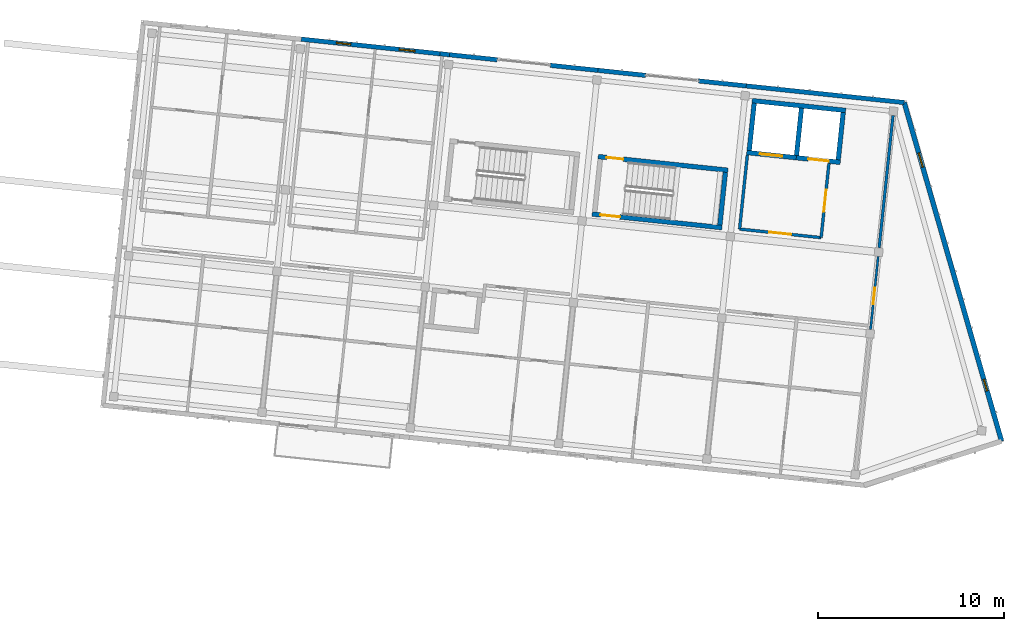
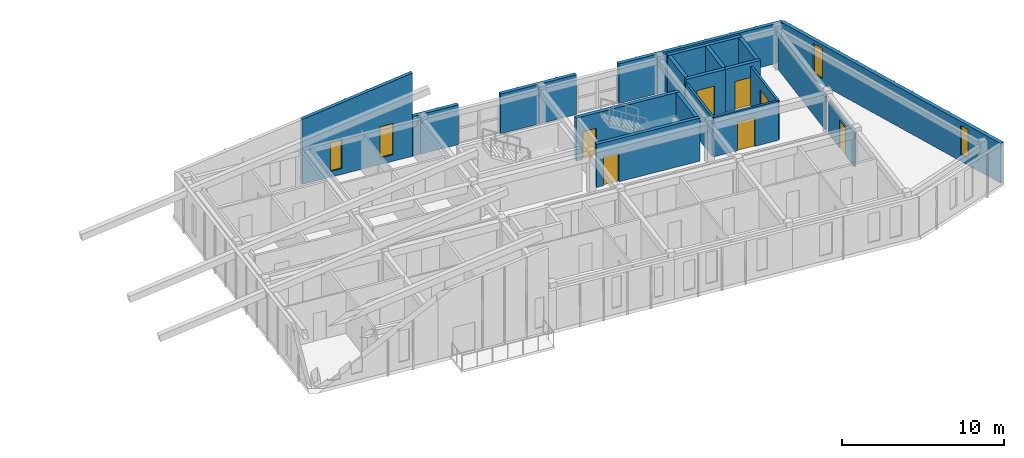
# One storey, part 19 of 34: 22 walls, 7 doors, 4 windows, 11 openings.
"""IFC4 building model written with IfcOpenShell, lengths in metres."""

from ifc_helpers import new_model, si_unit, direction, frame, frame_2d, origin, place, context, subcontext, project, spatial, polyline, rectangle, outline, extrude, material, layer, layer_set, type_object, element, fill, save


model = new_model("IFC4")

# Units and contexts
model_context = context("Model", 3, precision=1e-05, world=origin(), true_north=direction((0.0, 1.0)))
body_context = subcontext(model_context, "Body", "Model", "MODEL_VIEW")
ifc_project = project(units=[si_unit("LENGTHUNIT", "METRE"), si_unit("AREAUNIT", "SQUARE_METRE"), si_unit("VOLUMEUNIT", "CUBIC_METRE"), si_unit("PLANEANGLEUNIT", "RADIAN"), si_unit("MASSUNIT", "GRAM", prefix="KILO")], contexts=[model_context])

# Site, building, storey
site_placement = place(None, origin())
site = spatial("IfcSite", under=ifc_project, at=site_placement, CompositionType="ELEMENT")
building_placement = place(site_placement, origin())
building = spatial("IfcBuilding", under=site, at=building_placement, Name="Kestramere Prow Commons", CompositionType="ELEMENT")
storey_placement = place(building_placement, frame((0.0, 0.0, 34.39990234375)))
storey = spatial("IfcBuildingStorey", under=building, at=storey_placement, Name="L10", CompositionType="ELEMENT", Elevation=34.39990234375)

# Wall, openings, windows
ifc_material_1 = material(Name="Weathered Zinc-Titanium Standing-Seam Cladding")
ifc_layer_1 = layer(ifc_material_1, 0.260009765625)
ifc_layer_set_1 = layer_set([ifc_layer_1], Name="Weathered Zinc-Titanium Standing-Seam Cladding")
wall_type_1 = type_object("IfcWallType", Name="EW-PROW-260", PredefinedType="SOLIDWALL", material=ifc_layer_set_1)
wall_1_placement = place(storey_placement, frame((160.36279296875, 109.742431640625, 0.0), z_axis=(0.0, 0.0, 1.0), x_axis=(0.276322184526, -0.961065060409, 0.0)))
wall_1 = element("IfcWall", 1, at=wall_1_placement, inside=storey, type_object=wall_type_1, Name="Block B L10 PRW-N Facet Wall", PredefinedType="SOLIDWALL", context=body_context, shape_type="SweptSolid", body=[
    extrude(rectangle(XDim=18.90673828125, YDim=0.260009765625, at=frame_2d((9.453369140625, 0.0))), origin(), (0.0, 0.0, 1.0), 3.0),
])
opening_1_placement = place(wall_1_placement, frame((2.81005859375, 0.0, 0.449951171875)))
opening_1 = element("IfcOpeningElement", 2, at=opening_1_placement, cuts=wall_1, Name="Opening WN-12", PredefinedType="OPENING", context=body_context, shape_type="SweptSolid", body=[
    extrude(rectangle(XDim=0.800048828125, YDim=2.300048828125, at=frame_2d((0.39990234375, 1.14990234375))), frame((0.0, 0.14501953125, 0.0), z_axis=(0.0, -1.0, 0.0), x_axis=(1.0, 0.0, 0.0)), (0.0, 0.0, 1.0), 0.2900390625),
])
opening_2_placement = place(wall_1_placement, frame((15.456787109375, 0.0, 0.52001953125)))
opening_2 = element("IfcOpeningElement", 3, at=opening_2_placement, cuts=wall_1, Name="Opening WN-04", PredefinedType="OPENING", context=body_context, shape_type="SweptSolid", body=[
    extrude(rectangle(XDim=0.639892578125, YDim=2.179931640625, at=frame_2d((0.31982421875, 1.08984375))), frame((0.0, 0.14501953125, 0.0), z_axis=(0.0, -1.0, 0.0), x_axis=(1.0, 0.0, 0.0)), (0.0, 0.0, 1.0), 0.2900390625),
])
ifc_material_2 = material(Name="Low-E Laminated Double Glazing", Category="glass")
window_type_1 = type_object("IfcWindowType", Name="WN-NAR-640A", PartitioningType="SINGLE_PANEL", PredefinedType="WINDOW", material=ifc_material_2)
window_1_placement = place(opening_2_placement, origin())
window_1 = element("IfcWindow", 4, at=window_1_placement, inside=storey, type_object=window_type_1, Name="WN-B-L10-PRW-N-1", OverallHeight=2.179931640625, OverallWidth=0.639892578125, PartitioningType="SINGLE_PANEL", PredefinedType="WINDOW", context=body_context, shape_type="SweptSolid", body=[
    extrude(rectangle(XDim=0.639892578125, YDim=2.179931640625, at=frame_2d((0.31982421875, 1.08984375))), frame((0.0, 0.030029296875, 0.0), z_axis=(0.0, -1.0, 0.0), x_axis=(1.0, 0.0, 0.0)), (0.0, 0.0, 1.0), 0.06005859375),
])
fill(opening_2, window_1)
window_type_2 = type_object("IfcWindowType", Name="WN-NAR-800A", PartitioningType="SINGLE_PANEL", PredefinedType="WINDOW", material=ifc_material_2)
window_2_placement = place(opening_1_placement, origin())
window_2 = element("IfcWindow", 5, at=window_2_placement, inside=storey, type_object=window_type_2, Name="WN-B-L10-PRW-N-0", OverallHeight=2.300048828125, OverallWidth=0.800048828125, PartitioningType="SINGLE_PANEL", PredefinedType="WINDOW", context=body_context, shape_type="SweptSolid", body=[
    extrude(rectangle(XDim=0.800048828125, YDim=2.300048828125, at=frame_2d((0.39990234375, 1.14990234375))), frame((0.0, 0.030029296875, 0.0), z_axis=(0.0, -1.0, 0.0), x_axis=(1.0, 0.0, 0.0)), (0.0, 0.0, 1.0), 0.06005859375),
])
fill(opening_1, window_2)

# Wall
ifc_material_3 = material(Name="Fluoropolymer Standing-Seam Zinc-Aluminium Cladding", Category="aluminium")
ifc_layer_2 = layer(ifc_material_3, 0.239990234375)
ifc_layer_set_2 = layer_set([ifc_layer_2], Name="Fluoropolymer Standing-Seam Zinc-Aluminium Cladding")
wall_type_2 = type_object("IfcWallType", Name="EW-SEAM-240", PredefinedType="SOLIDWALL", material=ifc_layer_set_2)
wall_2_placement = place(storey_placement, frame((135.449951171875, 112.36083984375, 0.0), z_axis=(0.0, 0.0, 1.0), x_axis=(0.994561361015, -0.10415228839, 0.0)))
element("IfcWall", 6, at=wall_2_placement, inside=storey, type_object=wall_type_2, Name="Block B L10 North Step-Back Spandrel Wall 3", PredefinedType="SOLIDWALL", context=body_context, shape_type="SweptSolid", body=[
    extrude(rectangle(XDim=0.525146484375, YDim=0.239990234375, at=frame_2d((0.2626953125, 0.0))), origin(), (0.0, 0.0, 1.0), 3.0),
])

# Wall, openings, windows
wall_3_placement = place(storey_placement, frame((128.015869140625, 113.142333984375, 0.0), z_axis=(0.0, 0.0, 1.0), x_axis=(0.994519939392, -0.104547071461, 0.0)))
wall_3 = element("IfcWall", 7, at=wall_3_placement, inside=storey, type_object=wall_type_2, Name="Block B L10 North Standing-Seam Wall 3", PredefinedType="SOLIDWALL", context=body_context, shape_type="SweptSolid", body=[
    extrude(outline(polyline([(0.0, 0.0), (7.47509765625, 0.0), (7.47509765625, 6.28759765625), (0.0, 4.900634765625), (0.0, 0.0)])), frame((0.0, 0.1201171875, 0.0), z_axis=(0.0, -1.0, 0.0), x_axis=(1.0, 0.0, 0.0)), (0.0, 0.0, 1.0), 0.239990234375),
])
opening_3_placement = place(wall_3_placement, frame((1.894775390625, 0.0, 0.43994140625)))
opening_3 = element("IfcOpeningElement", 8, at=opening_3_placement, cuts=wall_3, Name="Opening WN-11", PredefinedType="OPENING", context=body_context, shape_type="SweptSolid", body=[
    extrude(rectangle(XDim=0.780029296875, YDim=2.199951171875, at=frame_2d((0.39013671875, 1.10009765625))), frame((0.0, 0.135009765625, 0.0), z_axis=(0.0, -1.0, 0.0), x_axis=(1.0, 0.0, 0.0)), (0.0, 0.0, 1.0), 0.27001953125),
])
opening_4_placement = place(wall_3_placement, frame((5.27587890625, 0.0, 0.5)))
opening_4 = element("IfcOpeningElement", 9, at=opening_4_placement, cuts=wall_3, Name="Opening WN-15", PredefinedType="OPENING", context=body_context, shape_type="SweptSolid", body=[
    extrude(rectangle(XDim=0.860107421875, YDim=2.360107421875, at=frame_2d((0.43017578125, 1.18017578125))), frame((0.0, 0.135009765625, 0.0), z_axis=(0.0, -1.0, 0.0), x_axis=(1.0, 0.0, 0.0)), (0.0, 0.0, 1.0), 0.27001953125),
])
window_type_3 = type_object("IfcWindowType", Name="WN-NAR-780A", PartitioningType="SINGLE_PANEL", PredefinedType="WINDOW", material=ifc_material_2)
window_3_placement = place(opening_3_placement, origin())
window_3 = element("IfcWindow", 10, at=window_3_placement, inside=storey, type_object=window_type_3, Name="WN-B-L10-N-2-0", OverallHeight=2.199951171875, OverallWidth=0.780029296875, PartitioningType="SINGLE_PANEL", PredefinedType="WINDOW", context=body_context, shape_type="SweptSolid", body=[
    extrude(rectangle(XDim=0.780029296875, YDim=2.199951171875, at=frame_2d((0.39013671875, 1.10009765625))), frame((0.0, 0.030029296875, 0.0), z_axis=(0.0, -1.0, 0.0), x_axis=(1.0, 0.0, 0.0)), (0.0, 0.0, 1.0), 0.06005859375),
])
fill(opening_3, window_3)
window_type_4 = type_object("IfcWindowType", Name="WN-NAR-860A", PartitioningType="DOUBLE_PANEL_VERTICAL", PredefinedType="WINDOW", material=ifc_material_2)
window_4_placement = place(opening_4_placement, origin())
window_4 = element("IfcWindow", 11, at=window_4_placement, inside=storey, type_object=window_type_4, Name="WN-B-L10-N-2-1", OverallHeight=2.360107421875, OverallWidth=0.860107421875, PartitioningType="SINGLE_PANEL", PredefinedType="WINDOW", context=body_context, shape_type="SweptSolid", body=[
    extrude(rectangle(XDim=0.860107421875, YDim=2.360107421875, at=frame_2d((0.43017578125, 1.18017578125))), frame((0.0, 0.030029296875, 0.0), z_axis=(0.0, -1.0, 0.0), x_axis=(1.0, 0.0, 0.0)), (0.0, 0.0, 1.0), 0.06005859375),
])
fill(opening_4, window_4)

# Walls
for number, where, z_axis, x_axis, name in (
    (12, (135.97216796875, 112.30615234375, 0.0), (0.0, 0.0, 1.0), (0.99451635776, -0.104581136677, 0.0), "Block B L10 North Standing-Seam Pier 4L"),
    (13, (141.367431640625, 111.739013671875, 0.0), (0.0, 0.0, 1.0), (0.99451635776, -0.104581136677, 0.0), "Block B L10 North Standing-Seam Pier 4R"),
):
    element("IfcWall", number, at=place(storey_placement, frame(where, z_axis=z_axis, x_axis=x_axis)), inside=storey, type_object=wall_type_2, Name=name, PredefinedType="SOLIDWALL", context=body_context, shape_type="SweptSolid", body=[
        extrude(rectangle(XDim=2.574951171875, YDim=0.239990234375, at=frame_2d((1.28759765625, 0.0))), origin(), (0.0, 0.0, 1.0), 3.0),
    ])
wall_4_placement = place(storey_placement, frame((143.92822265625, 111.4697265625, 0.0), z_axis=(0.0, 0.0, 1.0), x_axis=(0.994527249958, -0.104477505191, 0.0)))
element("IfcWall", 14, at=wall_4_placement, inside=storey, type_object=wall_type_2, Name="Block B L10 North Standing-Seam Pier 5L", PredefinedType="SOLIDWALL", context=body_context, shape_type="SweptSolid", body=[
    extrude(rectangle(XDim=2.5751953125, YDim=0.239990234375, at=frame_2d((1.28759765625, 0.0))), origin(), (0.0, 0.0, 1.0), 3.0),
])
wall_5_placement = place(storey_placement, frame((149.32373046875, 110.90283203125, 0.0), z_axis=(0.0, 0.0, 1.0), x_axis=(0.99451635776, -0.104581136677, 0.0)))
element("IfcWall", 15, at=wall_5_placement, inside=storey, type_object=wall_type_2, Name="Block B L10 North Standing-Seam Pier 5R", PredefinedType="SOLIDWALL", context=body_context, shape_type="SweptSolid", body=[
    extrude(rectangle(XDim=2.574951171875, YDim=0.239990234375, at=frame_2d((1.28759765625, 0.0))), origin(), (0.0, 0.0, 1.0), 3.0),
])
wall_6_placement = place(storey_placement, frame((151.884521484375, 110.633544921875, 0.0), z_axis=(0.0, 0.0, 1.0), x_axis=(0.994521760736, -0.104529744196, 0.0)))
element("IfcWall", 16, at=wall_6_placement, inside=storey, type_object=wall_type_2, Name="Block B L10 North Standing-Seam Wall 6", PredefinedType="SOLIDWALL", context=body_context, shape_type="SweptSolid", body=[
    extrude(rectangle(XDim=8.52490234375, YDim=0.239990234375, at=frame_2d((4.262451171875, 0.0))), origin(), (0.0, 0.0, 1.0), 3.0),
])
ifc_material_4 = material(Name="Concrete C40/50", Category="concrete")
ifc_layer_3 = layer(ifc_material_4, 0.25)
ifc_layer_set_3 = layer_set([ifc_layer_3], Name="Concrete C40/50")
wall_type_3 = type_object("IfcWallType", Name="W-CORE-250", PredefinedType="SHEAR", material=ifc_layer_set_3)
wall_7_placement = place(storey_placement, frame((152.203857421875, 109.845947265625, 0.0), z_axis=(0.0, 0.0, 1.0), x_axis=(0.994522922189, -0.104518693261, 0.0)))
element("IfcWall", 17, at=wall_7_placement, inside=storey, type_object=wall_type_3, Name="Block B L10 Lift Core Back Wall", PredefinedType="SHEAR", context=body_context, shape_type="SweptSolid", body=[
    extrude(rectangle(XDim=5.050048828125, YDim=0.25, at=frame_2d((2.52490234375, 0.0))), origin(), (0.0, 0.0, 1.0), 3.25),
])

# Wall, opening, door
wall_8_placement = place(storey_placement, frame((151.9111328125, 107.061279296875, 0.0), z_axis=(0.0, 0.0, 1.0), x_axis=(0.994524939068, -0.104499500343, 0.0)))
wall_8 = element("IfcWall", 18, at=wall_8_placement, inside=storey, type_object=wall_type_3, Name="Block B L10 Fire Lift Shaft Front Wall", PredefinedType="SHEAR", context=body_context, shape_type="SweptSolid", body=[
    extrude(rectangle(XDim=2.675048828125, YDim=0.25, at=frame_2d((1.33740234375, 0.0))), origin(), (0.0, 0.0, 1.0), 3.25),
])
opening_5_placement = place(wall_8_placement, frame((0.719970703125, 0.0, 0.0)))
opening_5 = element("IfcOpeningElement", 19, at=opening_5_placement, cuts=wall_8, Name="Opening LD-02", PredefinedType="OPENING", context=body_context, shape_type="SweptSolid", body=[
    extrude(rectangle(XDim=1.199951171875, YDim=2.199951171875, at=frame_2d((0.60009765625, 1.10009765625))), frame((0.0, 0.139892578125, 0.0), z_axis=(0.0, -1.0, 0.0), x_axis=(1.0, 0.0, 0.0)), (0.0, 0.0, 1.0), 0.280029296875),
])
ifc_material_5 = material(Name="Brushed Stainless Steel 316", Category="steel")
door_type_1 = type_object("IfcDoorType", Name="LD-02", OperationType="DOUBLE_DOOR_SLIDING", PredefinedType="DOOR", material=ifc_material_5)
door_1_placement = place(opening_5_placement, origin())
door_1 = element("IfcDoor", 20, at=door_1_placement, inside=storey, type_object=door_type_1, Name="FL-B1 L10 Lift Landing Door", OperationType="DOUBLE_DOOR_SLIDING", OverallHeight=2.199951171875, OverallWidth=1.199951171875, PredefinedType="DOOR", context=body_context, shape_type="SweptSolid", body=[
    extrude(rectangle(XDim=1.199951171875, YDim=2.199951171875, at=frame_2d((0.60009765625, 1.10009765625))), frame((0.0, 0.02490234375, 0.0), z_axis=(0.0, -1.0, 0.0), x_axis=(1.0, 0.0, 0.0)), (0.0, 0.0, 1.0), 0.050048828125),
])
fill(opening_5, door_1)

wall_9_placement = place(storey_placement, frame((154.571533203125, 106.78173828125, 0.0), z_axis=(0.0, 0.0, 1.0), x_axis=(0.994520650134, -0.1045403102, 0.0)))
wall_9 = element("IfcWall", 21, at=wall_9_placement, inside=storey, type_object=wall_type_3, Name="Block B L10 Passenger Lift Shaft Front Wall", PredefinedType="SHEAR", context=body_context, shape_type="SweptSolid", body=[
    extrude(rectangle(XDim=2.375, YDim=0.25, at=frame_2d((1.1875, 0.0))), origin(), (0.0, 0.0, 1.0), 3.25),
])
opening_6_placement = place(wall_9_placement, frame((0.64990234375, 0.0, 0.0)))
opening_6 = element("IfcOpeningElement", 22, at=opening_6_placement, cuts=wall_9, Name="Opening LD-01", PredefinedType="OPENING", context=body_context, shape_type="SweptSolid", body=[
    extrude(rectangle(XDim=1.10009765625, YDim=2.14990234375, at=frame_2d((0.550048828125, 1.074951171875))), frame((0.0, 0.139892578125, 0.0), z_axis=(0.0, -1.0, 0.0), x_axis=(1.0, 0.0, 0.0)), (0.0, 0.0, 1.0), 0.280029296875),
])
ifc_material_6 = material(Name="Brushed Stainless Steel 304", Category="steel")
door_type_2 = type_object("IfcDoorType", Name="LD-01", OperationType="DOUBLE_DOOR_SLIDING", PredefinedType="DOOR", material=ifc_material_6)
door_2_placement = place(opening_6_placement, origin())
door_2 = element("IfcDoor", 23, at=door_2_placement, inside=storey, type_object=door_type_2, Name="PL-B2 L10 Lift Landing Door", OperationType="DOUBLE_DOOR_SLIDING", OverallHeight=2.14990234375, OverallWidth=1.10009765625, PredefinedType="DOOR", context=body_context, shape_type="SweptSolid", body=[
    extrude(rectangle(XDim=1.10009765625, YDim=2.14990234375, at=frame_2d((0.550048828125, 1.074951171875))), frame((0.0, 0.02490234375, 0.0), z_axis=(0.0, -1.0, 0.0), x_axis=(1.0, 0.0, 0.0)), (0.0, 0.0, 1.0), 0.050048828125),
])
fill(opening_6, door_2)

# Walls
for number, where, z_axis, x_axis, name in (
    (24, (152.048583984375, 107.172607421875, 0.0), (0.0, 0.0, 1.0), (0.104555197931, 0.994519085079, 0.0), "Block B L10 Lift Core Side Wall L"),
    (25, (154.584716796875, 106.906005859375, 0.0), (0.0, 0.0, 1.0), (0.104555197931, 0.994519085079, 0.0), "Block B L10 Lift Core Side Wall M"),
):
    element("IfcWall", number, at=place(storey_placement, frame(where, z_axis=z_axis, x_axis=x_axis)), inside=storey, type_object=wall_type_3, Name=name, PredefinedType="SHEAR", context=body_context, shape_type="SweptSolid", body=[
        extrude(rectangle(XDim=2.5498046875, YDim=0.25, at=frame_2d((1.27490234375, 0.0))), origin(), (0.0, 0.0, 1.0), 3.25),
    ])
wall_10_placement = place(storey_placement, frame((156.822265625, 106.670654296875, 0.0), z_axis=(0.0, 0.0, 1.0), x_axis=(0.104545242946, 0.99452013161, 0.0)))
element("IfcWall", 26, at=wall_10_placement, inside=storey, type_object=wall_type_3, Name="Block B L10 Lift Core Side Wall R", PredefinedType="SHEAR", context=body_context, shape_type="SweptSolid", body=[
    extrude(rectangle(XDim=2.550048828125, YDim=0.25, at=frame_2d((1.27490234375, 0.0))), origin(), (0.0, 0.0, 1.0), 3.25),
])

# Wall, opening, door
wall_11_placement = place(storey_placement, frame((143.94482421875, 106.8427734375, 0.0), z_axis=(0.0, 0.0, 1.0), x_axis=(0.994522066748, -0.104526832686, 0.0)))
wall_11 = element("IfcWall", 27, at=wall_11_placement, inside=storey, type_object=wall_type_3, Name="ST-B2 L10 North Shaft Wall", PredefinedType="SHEAR", context=body_context, shape_type="SweptSolid", body=[
    extrude(rectangle(XDim=7.0, YDim=0.25, at=frame_2d((3.5, 0.0))), origin(), (0.0, 0.0, 1.0), 3.25),
])
opening_7_placement = place(wall_11_placement, frame((0.449951171875, 0.0, 0.0)))
opening_7 = element("IfcOpeningElement", 28, at=opening_7_placement, cuts=wall_11, Name="Opening ID-08", PredefinedType="OPENING", context=body_context, shape_type="SweptSolid", body=[
    extrude(rectangle(XDim=0.89990234375, YDim=2.10009765625, at=frame_2d((0.449951171875, 1.050048828125))), frame((0.0, 0.139892578125, 0.0), z_axis=(0.0, -1.0, 0.0), x_axis=(1.0, 0.0, 0.0)), (0.0, 0.0, 1.0), 0.280029296875),
])
ifc_material_7 = material(Name="Engineered Timber Flush Door", Category="wood")
door_type_3 = type_object("IfcDoorType", Name="D-RM-01", OperationType="NOTDEFINED", PredefinedType="DOOR", material=ifc_material_7)
door_3_placement = place(opening_7_placement, origin())
door_3 = element("IfcDoor", 29, at=door_3_placement, inside=storey, type_object=door_type_3, Name="ST-B2 L10 North Room Door", OperationType="SINGLE_SWING_RIGHT", OverallHeight=2.10009765625, OverallWidth=0.89990234375, PredefinedType="DOOR", context=body_context, shape_type="SweptSolid", body=[
    extrude(rectangle(XDim=0.89990234375, YDim=2.10009765625, at=frame_2d((0.449951171875, 1.050048828125))), frame((0.0, 0.02490234375, 0.0), z_axis=(0.0, -1.0, 0.0), x_axis=(1.0, 0.0, 0.0)), (0.0, 0.0, 1.0), 0.050048828125),
])
fill(opening_7, door_3)

wall_12_placement = place(storey_placement, frame((143.62060546875, 103.759765625, 0.0), z_axis=(0.0, 0.0, 1.0), x_axis=(0.994522066748, -0.104526832686, 0.0)))
wall_12 = element("IfcWall", 30, at=wall_12_placement, inside=storey, type_object=wall_type_3, Name="ST-B2 L10 Corridor Shaft Wall", PredefinedType="SHEAR", context=body_context, shape_type="SweptSolid", body=[
    extrude(rectangle(XDim=7.0, YDim=0.25, at=frame_2d((3.5, 0.0))), origin(), (0.0, 0.0, 1.0), 3.25),
])
opening_8_placement = place(wall_12_placement, frame((0.449951171875, 0.0, 0.0)))
opening_8 = element("IfcOpeningElement", 31, at=opening_8_placement, cuts=wall_12, Name="Opening ID-01", PredefinedType="OPENING", context=body_context, shape_type="SweptSolid", body=[
    extrude(rectangle(XDim=1.050048828125, YDim=2.14990234375, at=frame_2d((0.52490234375, 1.074951171875))), frame((0.0, 0.139892578125, 0.0), z_axis=(0.0, -1.0, 0.0), x_axis=(1.0, 0.0, 0.0)), (0.0, 0.0, 1.0), 0.280029296875),
])
ifc_material_8 = material(Name="Fire-Rated Timber and Steel Frame", Category="steel")
door_type_4 = type_object("IfcDoorType", Name="FD-ST-01", OperationType="NOTDEFINED", PredefinedType="DOOR", material=ifc_material_8)
door_4_placement = place(opening_8_placement, origin())
door_4 = element("IfcDoor", 32, at=door_4_placement, inside=storey, type_object=door_type_4, Name="ST-B2 L10 Protected Stair Door", OperationType="SINGLE_SWING_LEFT", OverallHeight=2.14990234375, OverallWidth=1.050048828125, PredefinedType="DOOR", context=body_context, shape_type="SweptSolid", body=[
    extrude(rectangle(XDim=1.050048828125, YDim=2.14990234375, at=frame_2d((0.52490234375, 1.074951171875))), frame((0.0, 0.02490234375, 0.0), z_axis=(0.0, -1.0, 0.0), x_axis=(1.0, 0.0, 0.0)), (0.0, 0.0, 1.0), 0.050048828125),
])
fill(opening_8, door_4)

# Wall
wall_13_placement = place(storey_placement, frame((150.47119140625, 103.16552734375, 0.0), z_axis=(0.0, 0.0, 1.0), x_axis=(0.104515324063, 0.994523276267, 0.0)))
element("IfcWall", 33, at=wall_13_placement, inside=storey, type_object=wall_type_3, Name="ST-B2 L10 Far Shaft Wall", PredefinedType="SHEAR", context=body_context, shape_type="SweptSolid", body=[
    extrude(rectangle(XDim=2.849853515625, YDim=0.25, at=frame_2d((1.4248046875, 0.0))), origin(), (0.0, 0.0, 1.0), 3.25),
])

# Wall, opening, door
ifc_material_9 = material(Name="Fire-Rated Calcium Silicate Wall")
ifc_layer_4 = layer(ifc_material_9, 0.155029296875)
ifc_layer_set_4 = layer_set([ifc_layer_4], Name="Fire-Rated Calcium Silicate Wall")
wall_type_4 = type_object("IfcWallType", Name="W-FIRE-150", PredefinedType="PARTITIONING", material=ifc_layer_set_4)
wall_14_placement = place(storey_placement, frame((151.52978515625, 102.95361328125, 0.0), z_axis=(0.0, 0.0, 1.0), x_axis=(0.994521251134, -0.104534592565, 0.0)))
wall_14 = element("IfcWall", 34, at=wall_14_placement, inside=storey, type_object=wall_type_4, Name="Interior Partition PW-B-L10-FFL-S", PredefinedType="PARTITIONING", context=body_context, shape_type="SweptSolid", body=[
    extrude(rectangle(XDim=4.400146484375, YDim=0.155029296875, at=frame_2d((2.2001953125, 0.0))), origin(), (0.0, 0.0, 1.0), 2.97021484375),
])
opening_9_placement = place(wall_14_placement, frame((1.60009765625, 0.0, 0.0)))
opening_9 = element("IfcOpeningElement", 35, at=opening_9_placement, cuts=wall_14, Name="Opening ID-03", PredefinedType="OPENING", context=body_context, shape_type="SweptSolid", body=[
    extrude(rectangle(XDim=1.179931640625, YDim=2.14990234375, at=frame_2d((0.58984375, 1.074951171875))), frame((0.0, 0.092529296875, 0.0), z_axis=(0.0, -1.0, 0.0), x_axis=(1.0, 0.0, 0.0)), (0.0, 0.0, 1.0), 0.18505859375),
])
ifc_material_10 = material(Name="Fire-Rated Glazed Smoke-Stop Door")
door_type_5 = type_object("IfcDoorType", Name="FD-LB-01", OperationType="NOTDEFINED", PredefinedType="DOOR", material=ifc_material_10)
door_5_placement = place(opening_9_placement, origin())
door_5 = element("IfcDoor", 36, at=door_5_placement, inside=storey, type_object=door_type_5, Name="Interior Door DR-B-L10-FFL", OperationType="SINGLE_SWING_LEFT", OverallHeight=2.14990234375, OverallWidth=1.179931640625, PredefinedType="DOOR", context=body_context, shape_type="SweptSolid", body=[
    extrude(rectangle(XDim=1.179931640625, YDim=2.14990234375, at=frame_2d((0.58984375, 1.074951171875))), frame((0.0, 0.02490234375, 0.0), z_axis=(0.0, -1.0, 0.0), x_axis=(1.0, 0.0, 0.0)), (0.0, 0.0, 1.0), 0.050048828125),
])
fill(opening_9, door_5)

# Wall
wall_15_placement = place(storey_placement, frame((151.52978515625, 102.95361328125, 0.0), z_axis=(0.0, 0.0, 1.0), x_axis=(0.104554517933, 0.994519156568, 0.0)))
element("IfcWall", 37, at=wall_15_placement, inside=storey, type_object=wall_type_4, Name="Interior Partition PW-B-L10-FFL-W", PredefinedType="PARTITIONING", context=body_context, shape_type="SweptSolid", body=[
    extrude(rectangle(XDim=4.0, YDim=0.155029296875, at=frame_2d((2.0, 0.0))), origin(), (0.0, 0.0, 1.0), 2.97021484375),
])

# Wall, opening, door
wall_16_placement = place(storey_placement, frame((155.90576171875, 102.49365234375, 0.0), z_axis=(0.0, 0.0, 1.0), x_axis=(0.104494148666, 0.99452550138, 0.0)))
wall_16 = element("IfcWall", 38, at=wall_16_placement, inside=storey, type_object=wall_type_4, Name="Interior Partition PW-B-L10-FFL-E", PredefinedType="PARTITIONING", context=body_context, shape_type="SweptSolid", body=[
    extrude(rectangle(XDim=4.0, YDim=0.155029296875, at=frame_2d((2.0, 0.0))), origin(), (0.0, 0.0, 1.0), 2.97021484375),
])
opening_10_placement = place(wall_16_placement, frame((1.39990234375, 0.0, 0.0)))
opening_10 = element("IfcOpeningElement", 39, at=opening_10_placement, cuts=wall_16, Name="Opening ID-03", PredefinedType="OPENING", context=body_context, shape_type="SweptSolid", body=[
    extrude(rectangle(XDim=1.179931640625, YDim=2.14990234375, at=frame_2d((0.58984375, 1.074951171875))), frame((0.0, 0.092529296875, 0.0), z_axis=(0.0, -1.0, 0.0), x_axis=(1.0, 0.0, 0.0)), (0.0, 0.0, 1.0), 0.18505859375),
])
door_6_placement = place(opening_10_placement, origin())
door_6 = element("IfcDoor", 40, at=door_6_placement, inside=storey, type_object=door_type_5, Name="Interior Door DR-B-L10-FFL-PL", OperationType="SINGLE_SWING_LEFT", OverallHeight=2.14990234375, OverallWidth=1.179931640625, PredefinedType="DOOR", context=body_context, shape_type="SweptSolid", body=[
    extrude(rectangle(XDim=1.179931640625, YDim=2.14990234375, at=frame_2d((0.58984375, 1.074951171875))), frame((0.0, 0.02490234375, 0.0), z_axis=(0.0, -1.0, 0.0), x_axis=(1.0, 0.0, 0.0)), (0.0, 0.0, 1.0), 0.050048828125),
])
fill(opening_10, door_6)

ifc_material_11 = material(Name="Lightweight Blockwork and Plaster", Category="masonry")
ifc_layer_5 = layer(ifc_material_11, 0.1201171875)
ifc_layer_set_5 = layer_set([ifc_layer_5], Name="Lightweight Blockwork and Plaster")
wall_type_5 = type_object("IfcWallType", Name="W-PART-120", PredefinedType="PARTITIONING", material=ifc_layer_set_5)
wall_17_placement = place(storey_placement, frame((158.55615234375, 97.57470703125, 0.0), z_axis=(0.0, 0.0, 1.0), x_axis=(0.104490754769, 0.994525857968, 0.0)))
wall_17 = element("IfcWall", 41, at=wall_17_placement, inside=storey, type_object=wall_type_5, Name="Interior Partition PW-B-L10-PROW-ACC", PredefinedType="PARTITIONING", context=body_context, shape_type="SweptSolid", body=[
    extrude(rectangle(XDim=3.929931640625, YDim=0.1201171875, at=frame_2d((1.96484375, 0.0))), origin(), (0.0, 0.0, 1.0), 2.5),
])
opening_11_placement = place(wall_17_placement, frame((1.35009765625, 0.0, 0.0)))
opening_11 = element("IfcOpeningElement", 42, at=opening_11_placement, cuts=wall_17, Name="Opening ID-08", PredefinedType="OPENING", context=body_context, shape_type="SweptSolid", body=[
    extrude(rectangle(XDim=0.89990234375, YDim=2.10009765625, at=frame_2d((0.449951171875, 1.050048828125))), frame((0.0, 0.074951171875, 0.0), z_axis=(0.0, -1.0, 0.0), x_axis=(1.0, 0.0, 0.0)), (0.0, 0.0, 1.0), 0.150146484375),
])
door_7_placement = place(opening_11_placement, origin())
door_7 = element("IfcDoor", 43, at=door_7_placement, inside=storey, type_object=door_type_3, Name="Interior Door DR-B-L10-PROW", OperationType="SINGLE_SWING_LEFT", OverallHeight=2.10009765625, OverallWidth=0.89990234375, PredefinedType="DOOR", context=body_context, shape_type="SweptSolid", body=[
    extrude(rectangle(XDim=0.89990234375, YDim=2.10009765625, at=frame_2d((0.449951171875, 1.050048828125))), frame((0.0, 0.02490234375, 0.0), z_axis=(0.0, -1.0, 0.0), x_axis=(1.0, 0.0, 0.0)), (0.0, 0.0, 1.0), 0.050048828125),
])
fill(opening_11, door_7)

# Wall
ifc_material_12 = material(Name="Masonry Compartment Wall", Category="masonry")
ifc_layer_6 = layer(ifc_material_12, 0.14990234375)
ifc_layer_set_6 = layer_set([ifc_layer_6], Name="Masonry Compartment Wall")
wall_type_6 = type_object("IfcWallType", Name="W-PART-150", PredefinedType="PARTITIONING", material=ifc_layer_set_6)
wall_18_placement = place(storey_placement, frame((159.015869140625, 101.95068359375, 0.0), z_axis=(0.0, 0.0, 1.0), x_axis=(0.104540404715, 0.994520640199, 0.0)))
element("IfcWall", 44, at=wall_18_placement, inside=storey, type_object=wall_type_6, Name="Interior Partition PW-B-L10-PRW-N", PredefinedType="PARTITIONING", context=body_context, shape_type="SweptSolid", body=[
    extrude(rectangle(XDim=7.1298828125, YDim=0.14990234375, at=frame_2d((3.56494140625, 0.0))), origin(), (0.0, 0.0, 1.0), 2.5),
])

save(model, "model.ifc")
